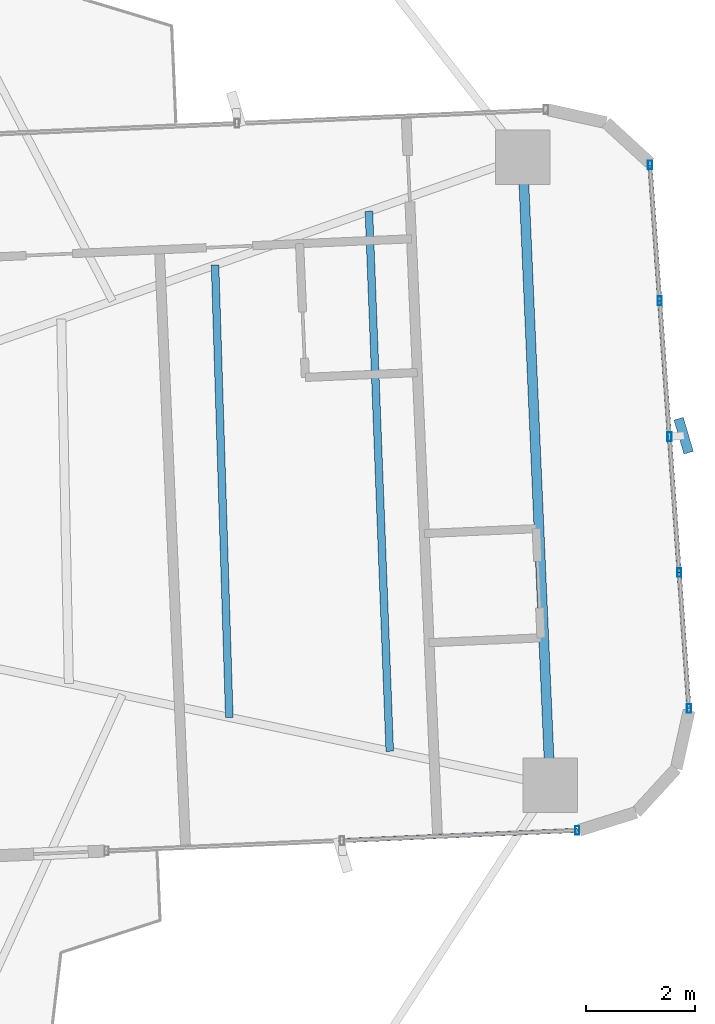
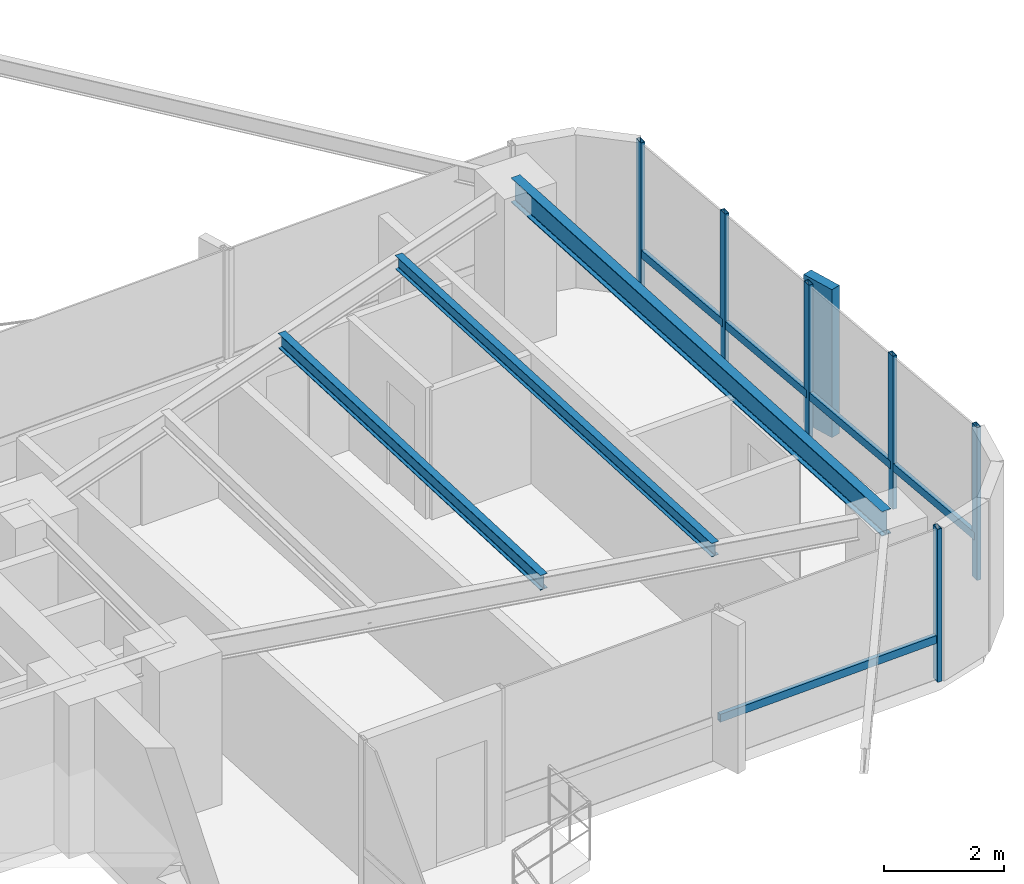
# One storey, part 15 of 26: 12 members, 3 beams, 2 elements without a shape of their own.
"""IFC4 building model written with IfcOpenShell, lengths in metres."""

from ifc_helpers import new_model, si_unit, direction, frame, origin, origin_2d, place, context, subcontext, project, spatial, rectangle, hollow_rectangle, i_section, extrude, source, transform, mapped, material, material_profile, profile_set, type_object, element, aggregate, save


model = new_model("IFC4")

# Units and contexts
model_context = context("Model", 3, precision=1e-05, world=origin(), true_north=direction((0.0, 1.0)))
body_context = subcontext(model_context, "Body", "Model", "MODEL_VIEW")
ifc_project = project(units=[si_unit("LENGTHUNIT", "METRE"), si_unit("AREAUNIT", "SQUARE_METRE"), si_unit("VOLUMEUNIT", "CUBIC_METRE"), si_unit("PLANEANGLEUNIT", "RADIAN"), si_unit("MASSUNIT", "GRAM", prefix="KILO")], contexts=[model_context])

# Site, building, storey
site_placement = place(None, origin())
site = spatial("IfcSite", under=ifc_project, at=site_placement, CompositionType="ELEMENT")
building_placement = place(site_placement, origin())
building = spatial("IfcBuilding", under=site, at=building_placement, Name="Sahyath Konkavel Grand Hotel", CompositionType="ELEMENT")
storey_placement = place(building_placement, frame((0.0, 0.0, 118.14990234375)))
storey = spatial("IfcBuildingStorey", under=building, at=storey_placement, Name="L32", CompositionType="ELEMENT", Elevation=118.14990234375)

# Beams
ifc_material_1 = material(Name="Steel E350", Category="steel")
ifc_material_profile_1 = material_profile(ifc_material_1, i_section(OverallWidth=0.179931640625, OverallDepth=0.5, WebThickness=0.01025390625, FlangeThickness=0.01708984375, FilletRadius=0.01708984375, at=origin_2d()), Name="ISMB 500")
ifc_profile_set_1 = profile_set([ifc_material_profile_1], Name="Steel E350")
beam_type_1 = type_object("IfcBeamType", Name="BM-ISMB500", PredefinedType="BEAM", material=ifc_profile_set_1)
shared_shape_1 = source(origin(), body_context, "Body", "SweptSolid", [
    extrude(i_section(OverallWidth=0.179931640625, OverallDepth=0.5, WebThickness=0.01025390625, FlangeThickness=0.01708984375, FilletRadius=0.01708984375, at=origin_2d()), origin(), (0.0, 0.0, 1.0), 11.5),
])
beam_1_placement = place(storey_placement, frame((17.734130859375, -4.981201171875, 2.860107421875), z_axis=(-0.043627008892, 0.99904788879, 0.0), x_axis=(-0.99904788879, -0.043627008892, 0.0)))
element("IfcBeam", 1, at=beam_1_placement, inside=storey, type_object=beam_type_1, Name="L32 Wing Tip Edge Beam E", PredefinedType="BEAM", context=body_context, shape_type="MappedRepresentation", body=[
    mapped(shared_shape_1, transform((0.0, 0.0, 0.0), scale=1.0)),
])
ifc_material_profile_2 = material_profile(ifc_material_1, i_section(OverallWidth=0.139892578125, OverallDepth=0.300048828125, WebThickness=0.0078125, FlangeThickness=0.01318359375, FilletRadius=0.013916015625, at=origin_2d()), Name="ISMB 300")
ifc_profile_set_2 = profile_set([ifc_material_profile_2], Name="Steel E350")
beam_type_2 = type_object("IfcBeamType", Name="BM-ISMB300", PredefinedType="BEAM", material=ifc_profile_set_2)
shared_shape_2 = source(origin(), body_context, "Body", "SweptSolid", [
    extrude(i_section(OverallWidth=0.139892578125, OverallDepth=0.300048828125, WebThickness=0.0078125, FlangeThickness=0.01318359375, FilletRadius=0.013916015625, at=origin_2d()), origin(), (0.0, 0.0, 1.0), 8.282470703125),
])
beam_2_placement = place(storey_placement, frame((11.86181640625, -3.7421875, 2.960205078125), z_axis=(-0.031510827707, 0.999503410568, 0.0), x_axis=(-0.999503410568, -0.031510827707, 0.0)))
element("IfcBeam", 2, at=beam_2_placement, inside=storey, type_object=beam_type_2, Name="L32 Secondary Floor Beam E-2", PredefinedType="BEAM", context=body_context, shape_type="MappedRepresentation", body=[
    mapped(shared_shape_2, transform((0.0, 0.0, 0.0), scale=1.0)),
])
ifc_material_profile_3 = material_profile(ifc_material_1, i_section(OverallWidth=0.139892578125, OverallDepth=0.27490234375, WebThickness=0.00634765625, FlangeThickness=0.0087890625, FilletRadius=0.012939453125, at=origin_2d()), Name="ISLB 275")
ifc_profile_set_3 = profile_set([ifc_material_profile_3], Name="Steel E350")
beam_type_3 = type_object("IfcBeamType", Name="BM-ISLB275", PredefinedType="BEAM", material=ifc_profile_set_3)
shared_shape_3 = source(origin(), body_context, "Body", "SweptSolid", [
    extrude(i_section(OverallWidth=0.139892578125, OverallDepth=0.27490234375, WebThickness=0.00634765625, FlangeThickness=0.0087890625, FilletRadius=0.012939453125, at=origin_2d()), origin(), (0.0, 0.0, 1.0), 9.89111328125),
])
beam_3_placement = place(storey_placement, frame((14.798095703125, -4.36181640625, 2.97265625), z_axis=(-0.03855445741, 0.999256500511, 0.0), x_axis=(-0.999256500511, -0.03855445741, 0.0)))
element("IfcBeam", 3, at=beam_3_placement, inside=storey, type_object=beam_type_3, Name="L32 Secondary Floor Beam E-3", PredefinedType="BEAM", context=body_context, shape_type="MappedRepresentation", body=[
    mapped(shared_shape_3, transform((0.0, 0.0, 0.0), scale=1.0)),
])

# Curtain wall, member
ifc_material_2 = material(Name="Anodised Bronze Aluminium & Low-E Glazing", Category="aluminium")
curtain_wall_type = type_object("IfcCurtainWallType", Name="CW-ZONE2", PredefinedType="NOTDEFINED", material=ifc_material_2)
curtain_wall_1_placement = place(storey_placement, origin())
curtain_wall_1 = element("IfcCurtainWall", 4, at=curtain_wall_1_placement, inside=storey, type_object=curtain_wall_type, Name="L32 Unitised Curtain Wall F4", PredefinedType="NOTDEFINED")
ifc_material_3 = material(Name="Warm Buff Sandstone Cladding on Concrete C50/60", Category="masonry")
ifc_material_profile_4 = material_profile(ifc_material_3, rectangle(XDim=0.179931640625, YDim=0.64990234375, at=origin_2d()), Name="FIN 180x650")
ifc_profile_set_4 = profile_set([ifc_material_profile_4], Name="Warm Buff Sandstone Cladding on Concrete C50/60")
member_type_1 = type_object("IfcMemberType", Name="FIN-SANDSTONE-650", PredefinedType="MULLION", material=ifc_profile_set_4)
shared_shape_4 = source(origin(), body_context, "Body", "SweptSolid", [
    extrude(rectangle(XDim=0.179931640625, YDim=0.64990234375, at=origin_2d()), origin(), (0.0, 0.0, 1.0), 3.010009765625),
])
member_1_placement = place(storey_placement, frame((20.1767578125, 1.413818359375, 0.050048828125), z_axis=(0.0, 0.0, 1.0), x_axis=(0.959264682049, 0.282508884416, 0.0)))
member_1 = element("IfcMember", 5, at=member_1_placement, type_object=member_type_1, Name="L32 Sandstone Vertical Solar Fin FIN F4-2", PredefinedType="MULLION", context=body_context, shape_type="MappedRepresentation", body=[
    mapped(shared_shape_4, transform((0.0, 0.0, 0.0), scale=1.0)),
])

curtain_wall_2_placement = place(storey_placement, origin())
curtain_wall_2 = element("IfcCurtainWall", 6, at=curtain_wall_2_placement, inside=storey, type_object=curtain_wall_type, Name="L32 Unitised Curtain Wall F0", PredefinedType="NOTDEFINED")
ifc_material_4 = material(Name="Anodised Bronze Aluminium", Category="aluminium")
ifc_material_profile_5 = material_profile(ifc_material_4, hollow_rectangle(XDim=0.080078125, YDim=0.159912109375, WallThickness=0.006103515625, at=origin_2d()), Name="RHS 160x80x6")
ifc_profile_set_5 = profile_set([ifc_material_profile_5], Name="Anodised Bronze Aluminium")
member_type_2 = type_object("IfcMemberType", Name="CW-MUL-160", PredefinedType="MULLION", material=ifc_profile_set_5)
shared_shape_5 = source(origin(), body_context, "Body", "SweptSolid", [
    extrude(hollow_rectangle(XDim=0.080078125, YDim=0.159912109375, WallThickness=0.006103515625, at=origin_2d()), origin(), (0.0, 0.0, 1.0), 3.110107421875),
])
member_2_placement = place(storey_placement, frame((18.230712890625, -5.810302734375, 0.0), z_axis=(0.0, 0.0, 1.0), x_axis=(1.0, 0.0, 0.0)))
member_2 = element("IfcMember", 7, at=member_2_placement, type_object=member_type_2, Name="L32 Curtain Wall Mullion F0-2", PredefinedType="MULLION", context=body_context, shape_type="MappedRepresentation", body=[
    mapped(shared_shape_5, transform((0.0, 0.0, 0.0), scale=1.0)),
])

# Member
member_3_placement = place(storey_placement, frame((20.2744140625, -3.5791015625, 0.0), z_axis=(0.0, 0.0, 1.0), x_axis=(1.0, 0.0, 0.0)))
member_3 = element("IfcMember", 8, at=member_3_placement, type_object=member_type_2, Name="L32 Curtain Wall Mullion F4-0", PredefinedType="MULLION", context=body_context, shape_type="MappedRepresentation", body=[
    mapped(shared_shape_5, transform((0.0, 0.0, 0.0), scale=1.0)),
])

member_4_placement = place(storey_placement, frame((20.095947265625, -1.092041015625, 0.0), z_axis=(0.0, 0.0, 1.0), x_axis=(1.0, 0.0, 0.0)))
member_4 = element("IfcMember", 9, at=member_4_placement, type_object=member_type_2, Name="L32 Curtain Wall Mullion F4-1", PredefinedType="MULLION", context=body_context, shape_type="MappedRepresentation", body=[
    mapped(shared_shape_5, transform((0.0, 0.0, 0.0), scale=1.0)),
])

member_5_placement = place(storey_placement, frame((19.91748046875, 1.39501953125, 0.0), z_axis=(0.0, 0.0, 1.0), x_axis=(1.0, 0.0, 0.0)))
member_5 = element("IfcMember", 10, at=member_5_placement, type_object=member_type_2, Name="L32 Curtain Wall Mullion F4-2", PredefinedType="MULLION", context=body_context, shape_type="MappedRepresentation", body=[
    mapped(shared_shape_5, transform((0.0, 0.0, 0.0), scale=1.0)),
])

member_6_placement = place(storey_placement, frame((19.739013671875, 3.882080078125, 0.0), z_axis=(0.0, 0.0, 1.0), x_axis=(1.0, 0.0, 0.0)))
member_6 = element("IfcMember", 11, at=member_6_placement, type_object=member_type_2, Name="L32 Curtain Wall Mullion F4-3", PredefinedType="MULLION", context=body_context, shape_type="MappedRepresentation", body=[
    mapped(shared_shape_5, transform((0.0, 0.0, 0.0), scale=1.0)),
])

member_7_placement = place(storey_placement, frame((19.560546875, 6.369384765625, 0.0), z_axis=(0.0, 0.0, 1.0), x_axis=(1.0, 0.0, 0.0)))
member_7 = element("IfcMember", 12, at=member_7_placement, type_object=member_type_2, Name="L32 Curtain Wall Mullion F4-4", PredefinedType="MULLION", context=body_context, shape_type="MappedRepresentation", body=[
    mapped(shared_shape_5, transform((0.0, 0.0, 0.0), scale=1.0)),
])

ifc_material_profile_6 = material_profile(ifc_material_4, hollow_rectangle(XDim=0.080078125, YDim=0.159912109375, WallThickness=0.006103515625, at=origin_2d()), Name="RHS 160x80x6")
ifc_profile_set_6 = profile_set([ifc_material_profile_6], Name="Anodised Bronze Aluminium")
member_type_3 = type_object("IfcMemberType", Name="CW-TRN-160", PredefinedType="USERDEFINED", material=ifc_profile_set_6)
shared_shape_6 = source(origin(), body_context, "Body", "SweptSolid", [
    extrude(hollow_rectangle(XDim=0.080078125, YDim=0.159912109375, WallThickness=0.006103515625, at=origin_2d()), origin(), (0.0, 0.0, 1.0), 4.31005859375),
])
member_8_placement = place(storey_placement, frame((13.9248046875, -5.998291015625, 0.85009765625), z_axis=(0.999048340188, 0.043616670746, 0.0), x_axis=(-0.043616670746, 0.999048340188, 0.0)))
member_8 = element("IfcMember", 13, at=member_8_placement, type_object=member_type_3, Name="L32 Curtain Wall Transom F0-1-spandrel", ObjectType="TRANSOM", PredefinedType="USERDEFINED", context=body_context, shape_type="MappedRepresentation", body=[
    mapped(shared_shape_6, transform((0.0, 0.0, 0.0), scale=1.0)),
])

aggregate(curtain_wall_2, [member_2, member_8])

shared_shape_7 = source(origin(), body_context, "Body", "SweptSolid", [
    extrude(hollow_rectangle(XDim=0.080078125, YDim=0.159912109375, WallThickness=0.006103515625, at=origin_2d()), origin(), (0.0, 0.0, 1.0), 2.493408203125),
])
member_9_placement = place(storey_placement, frame((20.2744140625, -3.5791015625, 0.85009765625), z_axis=(-0.071574084062, 0.997435286367, 0.0), x_axis=(-0.997435286367, -0.071574084062, 0.0)))
member_9 = element("IfcMember", 14, at=member_9_placement, type_object=member_type_3, Name="L32 Curtain Wall Transom F4-0-spandrel", ObjectType="TRANSOM", PredefinedType="USERDEFINED", context=body_context, shape_type="MappedRepresentation", body=[
    mapped(shared_shape_7, transform((0.0, 0.0, 0.0), scale=1.0)),
])

member_10_placement = place(storey_placement, frame((20.095947265625, -1.092041015625, 0.85009765625), z_axis=(-0.071574084062, 0.997435286367, 0.0), x_axis=(-0.997435286367, -0.071574084062, 0.0)))
member_10 = element("IfcMember", 15, at=member_10_placement, type_object=member_type_3, Name="L32 Curtain Wall Transom F4-1-spandrel", ObjectType="TRANSOM", PredefinedType="USERDEFINED", context=body_context, shape_type="MappedRepresentation", body=[
    mapped(shared_shape_7, transform((0.0, 0.0, 0.0), scale=1.0)),
])

member_11_placement = place(storey_placement, frame((19.91748046875, 1.39501953125, 0.85009765625), z_axis=(-0.071574084062, 0.997435286367, 0.0), x_axis=(-0.997435286367, -0.071574084062, 0.0)))
member_11 = element("IfcMember", 16, at=member_11_placement, type_object=member_type_3, Name="L32 Curtain Wall Transom F4-2-spandrel", ObjectType="TRANSOM", PredefinedType="USERDEFINED", context=body_context, shape_type="MappedRepresentation", body=[
    mapped(shared_shape_7, transform((0.0, 0.0, 0.0), scale=1.0)),
])

shared_shape_8 = source(origin(), body_context, "Body", "SweptSolid", [
    extrude(hollow_rectangle(XDim=0.080078125, YDim=0.159912109375, WallThickness=0.006103515625, at=origin_2d()), origin(), (0.0, 0.0, 1.0), 2.49365234375),
])
member_12_placement = place(storey_placement, frame((19.739013671875, 3.882080078125, 0.85009765625), z_axis=(-0.071567094714, 0.997435787885, 0.0), x_axis=(-0.997435787885, -0.071567094714, 0.0)))
member_12 = element("IfcMember", 17, at=member_12_placement, type_object=member_type_3, Name="L32 Curtain Wall Transom F4-3-spandrel", ObjectType="TRANSOM", PredefinedType="USERDEFINED", context=body_context, shape_type="MappedRepresentation", body=[
    mapped(shared_shape_8, transform((0.0, 0.0, 0.0), scale=1.0)),
])

aggregate(curtain_wall_1, [member_3, member_4, member_5, member_1, member_6, member_7, member_9, member_10, member_11, member_12])

save(model, "model.ifc")
